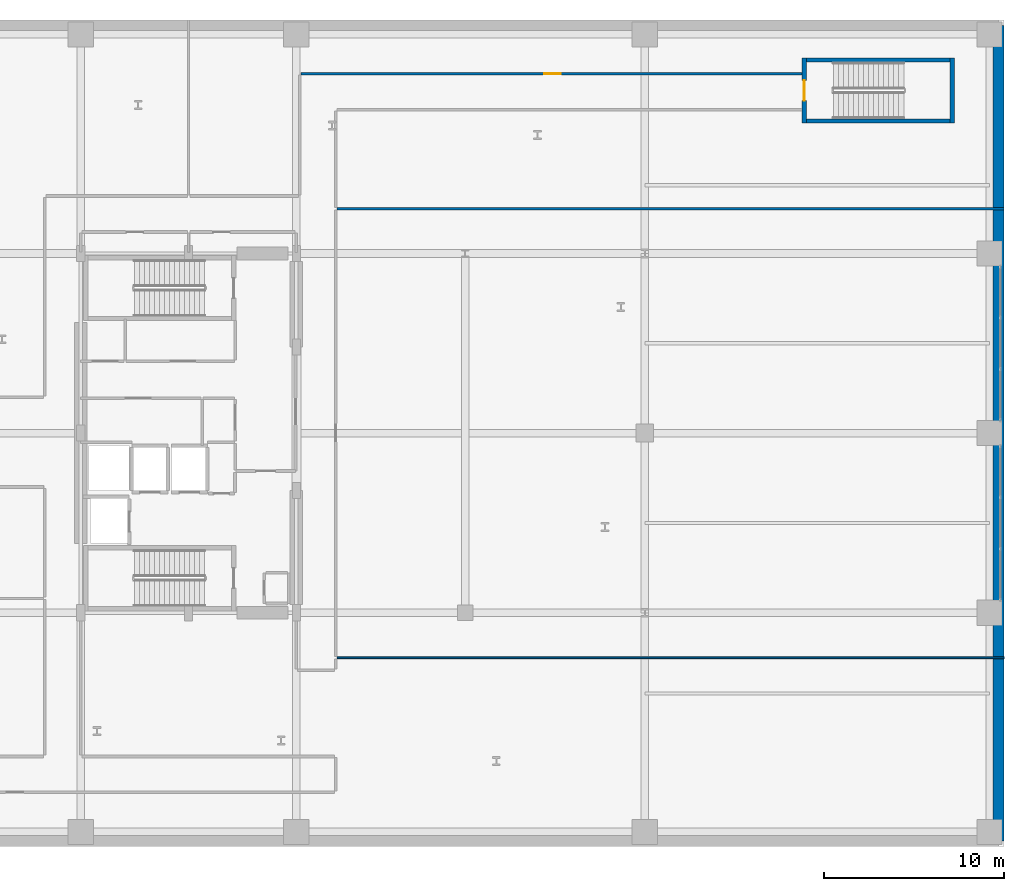
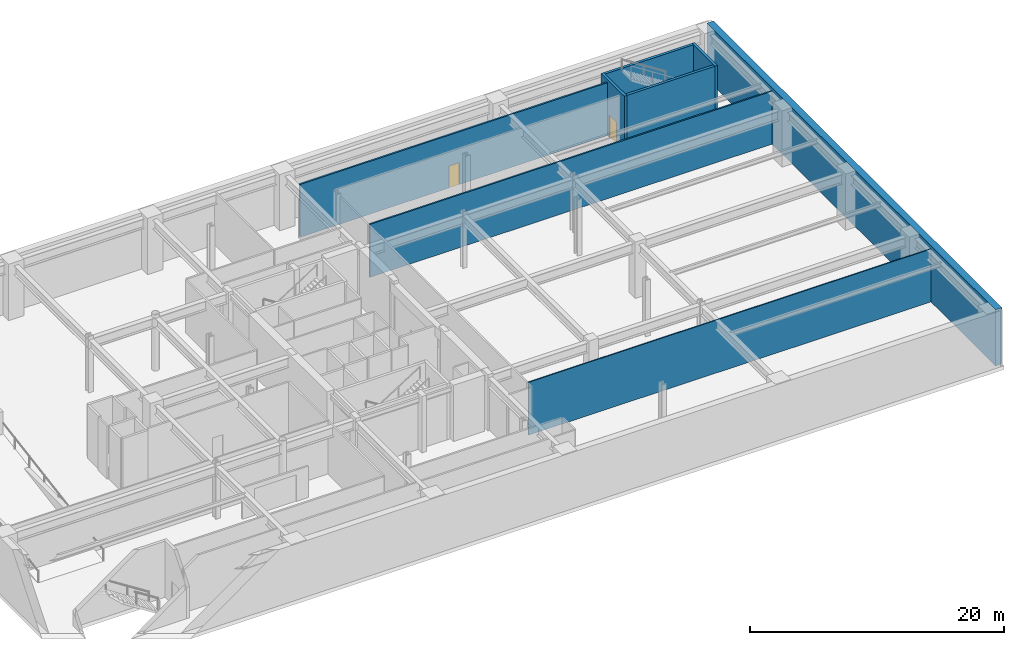
# One storey, part 20 of 25: 8 walls, 2 doors, 2 openings.
"""IFC4 building model written with IfcOpenShell, lengths in metres."""

from ifc_helpers import new_model, si_unit, direction, frame, frame_2d, origin, place, context, subcontext, project, spatial, rectangle, extrude, material, layer, layer_set, type_object, element, fill, save


model = new_model("IFC4")

# Units and contexts
model_context = context("Model", 3, precision=1e-05, world=origin(), true_north=direction((0.0, 1.0)))
body_context = subcontext(model_context, "Body", "Model", "MODEL_VIEW")
ifc_project = project(units=[si_unit("LENGTHUNIT", "METRE"), si_unit("AREAUNIT", "SQUARE_METRE"), si_unit("VOLUMEUNIT", "CUBIC_METRE"), si_unit("PLANEANGLEUNIT", "RADIAN"), si_unit("MASSUNIT", "GRAM", prefix="KILO")], contexts=[model_context])

# Site, building, storey
site_placement = place(None, origin())
site = spatial("IfcSite", under=ifc_project, at=site_placement, CompositionType="ELEMENT")
building_placement = place(site_placement, origin())
building = spatial("IfcBuilding", under=site, at=building_placement, Name="Soratama Intermodal Tower", CompositionType="ELEMENT")
storey_placement = place(building_placement, frame((0.0, 0.0, -5.39990234375)))
storey = spatial("IfcBuildingStorey", under=building, at=storey_placement, Name="B1", CompositionType="ELEMENT", Elevation=-5.39990234375)

# Wall, opening, door
ifc_material_1 = material(Name="Fire-rated gypsum stud partition", Category="concrete")
ifc_layer_1 = layer(ifc_material_1, 0.14990234375)
ifc_layer_set_1 = layer_set([ifc_layer_1], Name="Fire-rated gypsum stud partition")
wall_type_1 = type_object("IfcWallType", Name="IW-PART-R150", PredefinedType="PARTITIONING", material=ifc_layer_set_1)
wall_1_placement = place(storey_placement, frame((44.8701171875, 45.0, 0.0), z_axis=(0.0, 0.0, 1.0), x_axis=(1.0, 0.0, 0.0)))
wall_1 = element("IfcWall", 1, at=wall_1_placement, inside=storey, type_object=wall_type_1, Name="B1 Partition W-B1-TP005", PredefinedType="PARTITIONING", context=body_context, shape_type="SweptSolid", body=[
    extrude(rectangle(XDim=28.009765625, YDim=0.14990234375, at=frame_2d((14.0048828125, 0.0))), origin(), (0.0, 0.0, 1.0), 5.079833984375),
])
opening_1_placement = place(wall_1_placement, frame((13.530029296875, 0.0, 0.0)))
opening_1 = element("IfcOpeningElement", 2, at=opening_1_placement, cuts=wall_1, Name="Opening ID-6", PredefinedType="OPENING", context=body_context, shape_type="SweptSolid", body=[
    extrude(rectangle(XDim=0.919921875, YDim=2.1201171875, at=frame_2d((0.4599609375, 1.06005859375))), frame((0.0, 0.0849609375, 0.0), z_axis=(0.0, -1.0, 0.0), x_axis=(1.0, 0.0, 0.0)), (0.0, 0.0, 1.0), 0.169921875),
])
ifc_material_2 = material(Name="Solid hardwood acoustic door", Category="wood")
door_type_1 = type_object("IfcDoorType", Name="DR-ROOM-920", OperationType="NOTDEFINED", PredefinedType="DOOR", material=ifc_material_2)
door_1_placement = place(opening_1_placement, origin())
door_1 = element("IfcDoor", 3, at=door_1_placement, inside=storey, type_object=door_type_1, Name="B1 Door D-B1-TP002", OperationType="SINGLE_SWING_LEFT", OverallHeight=2.1201171875, OverallWidth=0.919921875, PredefinedType="DOOR", context=body_context, shape_type="SweptSolid", body=[
    extrude(rectangle(XDim=0.919921875, YDim=2.1201171875, at=frame_2d((0.4599609375, 1.06005859375))), frame((0.0, 0.02490234375, 0.0), z_axis=(0.0, -1.0, 0.0), x_axis=(1.0, 0.0, 0.0)), (0.0, 0.0, 1.0), 0.050048828125),
])
fill(opening_1, door_1)

# Walls
ifc_material_3 = material(Name="Fire-rated gypsum stud partition", Category="concrete")
ifc_layer_2 = layer(ifc_material_3, 0.10009765625)
ifc_layer_set_2 = layer_set([ifc_layer_2], Name="Fire-rated gypsum stud partition")
wall_type_2 = type_object("IfcWallType", Name="IW-PART-S100", PredefinedType="PARTITIONING", material=ifc_layer_set_2)
wall_2_placement = place(storey_placement, frame((46.8701171875, 12.5, 0.0), z_axis=(0.0, 0.0, 1.0), x_axis=(1.0, 0.0, 0.0)))
element("IfcWall", 4, at=wall_2_placement, inside=storey, type_object=wall_type_2, Name="B1 Partition W-B1-TP001", PredefinedType="PARTITIONING", context=body_context, shape_type="SweptSolid", body=[
    extrude(rectangle(XDim=37.1298828125, YDim=0.10009765625, at=frame_2d((18.56494140625, 0.0))), origin(), (0.0, 0.0, 1.0), 5.079833984375),
])
ifc_material_4 = material(Name="Fire-rated gypsum stud partition", Category="concrete")
ifc_layer_3 = layer(ifc_material_4, 0.139892578125)
ifc_layer_set_3 = layer_set([ifc_layer_3], Name="Fire-rated gypsum stud partition")
wall_type_3 = type_object("IfcWallType", Name="IW-PART-S140", PredefinedType="PARTITIONING", material=ifc_layer_set_3)
wall_3_placement = place(storey_placement, frame((46.8701171875, 37.5, 0.0), z_axis=(0.0, 0.0, 1.0), x_axis=(1.0, 0.0, 0.0)))
element("IfcWall", 5, at=wall_3_placement, inside=storey, type_object=wall_type_3, Name="B1 Partition W-B1-TP002", PredefinedType="PARTITIONING", context=body_context, shape_type="SweptSolid", body=[
    extrude(rectangle(XDim=37.1298828125, YDim=0.139892578125, at=frame_2d((18.56494140625, 0.0))), origin(), (0.0, 0.0, 1.0), 5.079833984375),
])
ifc_material_5 = material(Name="Concrete f'c 42 MPa", Category="concrete")
ifc_layer_4 = layer(ifc_material_5, 0.60009765625)
ifc_layer_set_4 = layer_set([ifc_layer_4], Name="Concrete f'c 42 MPa")
wall_type_4 = type_object("IfcWallType", Name="RW-BSMT-600", PredefinedType="USERDEFINED", material=ifc_layer_set_4)
wall_4_placement = place(storey_placement, frame((83.699951171875, 2.300048828125, 0.0), z_axis=(0.0, 0.0, 1.0), x_axis=(0.0, 1.0, 0.0)))
element("IfcWall", 6, at=wall_4_placement, inside=storey, type_object=wall_type_4, Name="B1 Retaining Wall E", ObjectType="RETAINING WALL", PredefinedType="USERDEFINED", context=body_context, shape_type="SweptSolid", body=[
    extrude(rectangle(XDim=45.39990234375, YDim=0.60009765625, at=frame_2d((22.699951171875, 0.0))), origin(), (0.0, 0.0, 1.0), 5.39990234375),
])

# Wall, opening, door
ifc_material_6 = material(Name="Concrete f'c 56 MPa", Category="concrete")
ifc_layer_5 = layer(ifc_material_6, 0.239990234375)
ifc_layer_set_5 = layer_set([ifc_layer_5], Name="Concrete f'c 56 MPa")
wall_type_5 = type_object("IfcWallType", Name="SW-STAIR-240", PredefinedType="SHEAR", material=ifc_layer_set_5)
wall_5_placement = place(storey_placement, frame((72.8798828125, 42.260009765625, 0.0), z_axis=(0.0, 0.0, 1.0), x_axis=(0.0, 1.0, 0.0)))
wall_5 = element("IfcWall", 7, at=wall_5_placement, inside=storey, type_object=wall_type_5, Name="B1 ST-4 Shaft Shear Wall W", PredefinedType="SHEAR", context=body_context, shape_type="SweptSolid", body=[
    extrude(rectangle(XDim=3.6298828125, YDim=0.239990234375, at=frame_2d((1.81494140625, 0.0))), origin(), (0.0, 0.0, 1.0), 5.39990234375),
])
opening_2_placement = place(wall_5_placement, frame((1.2548828125, 0.0, 0.0)))
opening_2 = element("IfcOpeningElement", 8, at=opening_2_placement, cuts=wall_5, Name="Opening SD-1", PredefinedType="OPENING", context=body_context, shape_type="SweptSolid", body=[
    extrude(rectangle(XDim=1.1201171875, YDim=2.14990234375, at=frame_2d((0.56005859375, 1.074951171875))), frame((0.0, 0.1298828125, 0.0), z_axis=(0.0, -1.0, 0.0), x_axis=(1.0, 0.0, 0.0)), (0.0, 0.0, 1.0), 0.260009765625),
])
ifc_material_7 = material(Name="Steel fire door", Category="steel")
door_type_2 = type_object("IfcDoorType", Name="DR-STAIR-FD90", OperationType="NOTDEFINED", PredefinedType="DOOR", material=ifc_material_7)
door_2_placement = place(opening_2_placement, origin())
door_2 = element("IfcDoor", 9, at=door_2_placement, inside=storey, type_object=door_type_2, Name="B1 ST-4 Exit Stair Door", OperationType="SINGLE_SWING_RIGHT", OverallHeight=2.14990234375, OverallWidth=1.1201171875, PredefinedType="DOOR", context=body_context, shape_type="SweptSolid", body=[
    extrude(rectangle(XDim=1.1201171875, YDim=2.14990234375, at=frame_2d((0.56005859375, 1.074951171875))), frame((0.0, 0.02490234375, 0.0), z_axis=(0.0, -1.0, 0.0), x_axis=(1.0, 0.0, 0.0)), (0.0, 0.0, 1.0), 0.050048828125),
])
fill(opening_2, door_2)

# Walls
wall_6_placement = place(storey_placement, frame((81.1201171875, 42.260009765625, 0.0), z_axis=(0.0, 0.0, 1.0), x_axis=(0.0, 1.0, 0.0)))
element("IfcWall", 10, at=wall_6_placement, inside=storey, type_object=wall_type_5, Name="B1 ST-4 Shaft Shear Wall E", PredefinedType="SHEAR", context=body_context, shape_type="SweptSolid", body=[
    extrude(rectangle(XDim=3.6298828125, YDim=0.239990234375, at=frame_2d((1.81494140625, 0.0))), origin(), (0.0, 0.0, 1.0), 5.39990234375),
])
for number, where, z_axis, x_axis, name in (
    (11, (73.0, 42.3798828125, 0.0), (0.0, 0.0, 1.0), (1.0, 0.0, 0.0), "B1 ST-4 Shaft Shear Wall S"),
    (12, (73.0, 45.77001953125, 0.0), (0.0, 0.0, 1.0), (1.0, 0.0, 0.0), "B1 ST-4 Shaft Shear Wall N"),
):
    element("IfcWall", number, at=place(storey_placement, frame(where, z_axis=z_axis, x_axis=x_axis)), inside=storey, type_object=wall_type_5, Name=name, PredefinedType="SHEAR", context=body_context, shape_type="SweptSolid", body=[
        extrude(rectangle(XDim=8.0, YDim=0.239990234375, at=frame_2d((4.0, 0.0))), origin(), (0.0, 0.0, 1.0), 5.39990234375),
    ])

save(model, "model.ifc")
